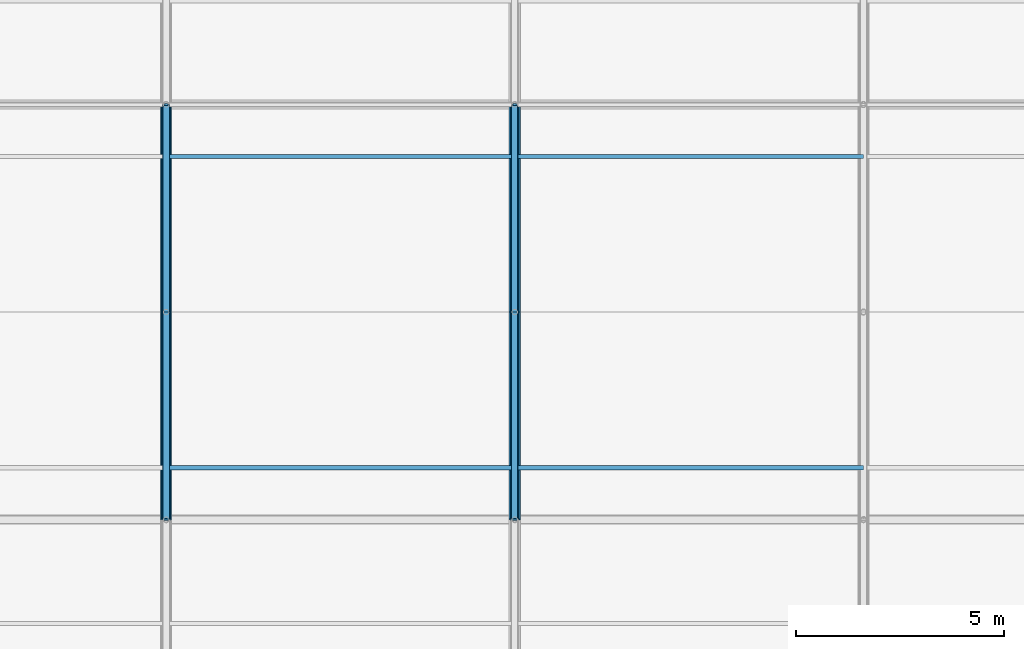
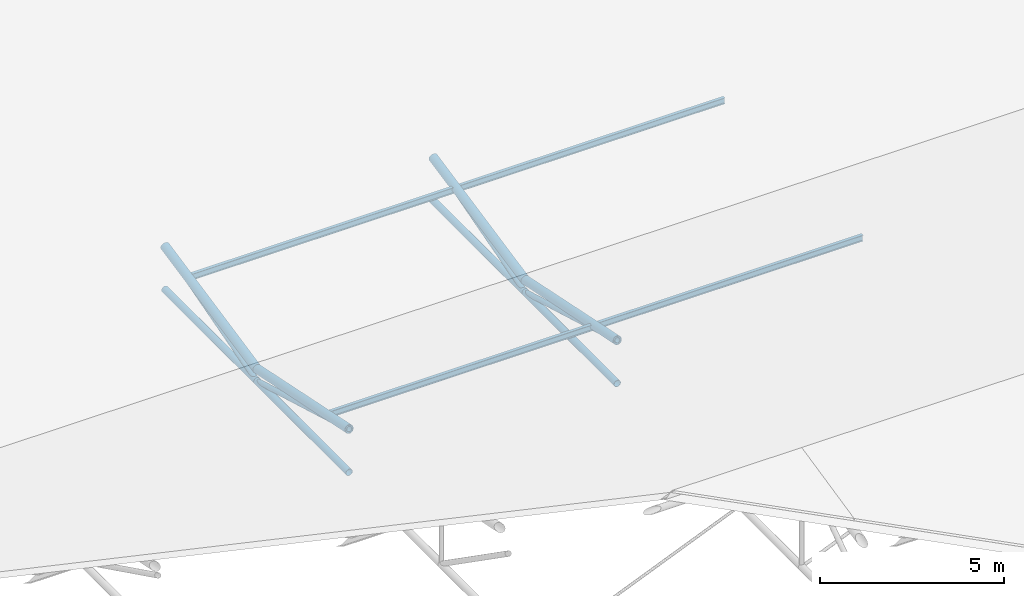
# One storey, part 101 of 194: 12 members, 4 beams.
"""IFC4 building model written with IfcOpenShell, lengths in metres."""

from ifc_helpers import new_model, si_unit, direction, frame, origin, origin_2d, place, context, subcontext, project, spatial, hollow_circle, i_section, extrude, material, material_profile, profile_set, type_object, element, save


model = new_model("IFC4")

# Units and contexts
model_context = context("Model", 3, precision=1e-05, world=origin(), true_north=direction((0.0, 1.0)))
body_context = subcontext(model_context, "Body", "Model", "MODEL_VIEW")
ifc_project = project(units=[si_unit("LENGTHUNIT", "METRE"), si_unit("AREAUNIT", "SQUARE_METRE"), si_unit("VOLUMEUNIT", "CUBIC_METRE"), si_unit("PLANEANGLEUNIT", "RADIAN"), si_unit("MASSUNIT", "GRAM", prefix="KILO")], contexts=[model_context])

# Site, building, storey
site_placement = place(None, origin())
site = spatial("IfcSite", under=ifc_project, at=site_placement, CompositionType="ELEMENT")
building_placement = place(site_placement, origin())
building = spatial("IfcBuilding", under=site, at=building_placement, Name="Kazenagashi Tramway Depot", CompositionType="ELEMENT")
storey_placement = place(building_placement, frame((0.0, 0.0, 23.7)))
storey = spatial("IfcBuildingStorey", under=building, at=storey_placement, Name="ROOF", CompositionType="ELEMENT", Elevation=23.7)

# Beams
ifc_material_1 = material(Name="Steel SN400B", Category="steel")
ifc_material_profile_1 = material_profile(ifc_material_1, i_section(OverallWidth=0.1, OverallDepth=0.2, WebThickness=0.0055, FlangeThickness=0.008, at=origin_2d()), Name="H-200x100x5.5x8")
ifc_profile_set_1 = profile_set([ifc_material_profile_1], Name="Steel SN400B")
beam_type = type_object("IfcBeamType", Name="PR-01", PredefinedType="USERDEFINED", material=ifc_profile_set_1)
for number, where, z_axis, x_axis, name in (
    (1, (162.4, 96.25, -12.955), (1.0, 0.0, 0.0), (0.0, 1.0, 0.0), "Beam PR-01 BM-2122"),
    (2, (170.8, 96.25, -12.955), (1.0, 0.0, 0.0), (0.0, 1.0, 0.0), "Beam PR-01 BM-2123"),
    (3, (162.4, 103.75, -12.955), (1.0, 0.0, 0.0), (0.0, 1.0, 0.0), "Beam PR-01 BM-2140"),
    (4, (170.8, 103.75, -12.955), (1.0, 0.0, 0.0), (0.0, 1.0, 0.0), "Beam PR-01 BM-2141"),
):
    element("IfcBeam", number, at=place(storey_placement, frame(where, z_axis=z_axis, x_axis=x_axis)), inside=storey, type_object=beam_type, Name=name, ObjectType="PURLIN", PredefinedType="USERDEFINED", context=body_context, shape_type="SweptSolid", body=[
        extrude(i_section(OverallWidth=0.1, OverallDepth=0.2, WebThickness=0.0055, FlangeThickness=0.008, at=origin_2d()), origin(), (0.0, 0.0, 1.0), 8.4),
    ])

# Members
ifc_material_2 = material(Name="Steel STK490", Category="steel")
ifc_material_profile_2 = material_profile(ifc_material_2, hollow_circle(Radius=0.1337, WallThickness=0.0093, at=origin_2d()), Name="CHS-267.4x9.3")
ifc_profile_set_2 = profile_set([ifc_material_profile_2], Name="Steel STK490")
member_type_1 = type_object("IfcMemberType", Name="TC-01", PredefinedType="CHORD", material=ifc_profile_set_2)
for number, where, z_axis, x_axis, name in (
    (5, (162.4, 95.0, -12.667), (0.0, 0.979317999984, -0.202327098797), (-1.0, 0.0, 0.0), "Tubular Space Frame TC-01 MEM-0870"),
    (6, (162.4, 100.0, -13.7), (0.0, 0.979317999984, 0.202327098797), (-1.0, 0.0, 0.0), "Tubular Space Frame TC-01 MEM-0886"),
    (7, (170.8, 95.0, -12.667), (0.0, 0.979317999984, -0.202327098797), (-1.0, 0.0, 0.0), "Tubular Space Frame TC-01 MEM-0931"),
    (8, (170.8, 100.0, -13.7), (0.0, 0.979317999984, 0.202327098797), (-1.0, 0.0, 0.0), "Tubular Space Frame TC-01 MEM-0947"),
):
    element("IfcMember", number, at=place(storey_placement, frame(where, z_axis=z_axis, x_axis=x_axis)), inside=storey, type_object=member_type_1, Name=name, PredefinedType="CHORD", context=body_context, shape_type="SweptSolid", body=[
        extrude(hollow_circle(Radius=0.1337, WallThickness=0.0093, at=origin_2d()), origin(), (0.0, 0.0, 1.0), 5.105594),
    ])
ifc_material_profile_3 = material_profile(ifc_material_2, hollow_circle(Radius=0.10815, WallThickness=0.0082, at=origin_2d()), Name="CHS-216.3x8.2")
ifc_profile_set_3 = profile_set([ifc_material_profile_3], Name="Steel STK490")
member_type_2 = type_object("IfcMemberType", Name="TC-02", PredefinedType="CHORD", material=ifc_profile_set_3)
for number, where, z_axis, x_axis, name in (
    (9, (162.4, 95.0, -14.1), (0.0, 1.0, 0.0), (-1.0, 0.0, 0.0), "Tubular Space Frame TC-02 MEM-0871"),
    (10, (162.4, 100.0, -14.1), (0.0, 1.0, 0.0), (-1.0, 0.0, 0.0), "Tubular Space Frame TC-02 MEM-0887"),
    (11, (170.8, 95.0, -14.1), (0.0, 1.0, 0.0), (-1.0, 0.0, 0.0), "Tubular Space Frame TC-02 MEM-0932"),
    (12, (170.8, 100.0, -14.1), (0.0, 1.0, 0.0), (-1.0, 0.0, 0.0), "Tubular Space Frame TC-02 MEM-0948"),
):
    element("IfcMember", number, at=place(storey_placement, frame(where, z_axis=z_axis, x_axis=x_axis)), inside=storey, type_object=member_type_2, Name=name, PredefinedType="CHORD", context=body_context, shape_type="SweptSolid", body=[
        extrude(hollow_circle(Radius=0.10815, WallThickness=0.0082, at=origin_2d()), origin(), (0.0, 0.0, 1.0), 5.0),
    ])
ifc_material_profile_4 = material_profile(ifc_material_2, hollow_circle(Radius=0.0826, WallThickness=0.0071, at=origin_2d()), Name="CHS-165.2x7.1")
ifc_profile_set_4 = profile_set([ifc_material_profile_4], Name="Steel STK490")
member_type_3 = type_object("IfcMemberType", Name="TS-01", PredefinedType="STRUT", material=ifc_profile_set_4)
for number, where, z_axis, x_axis, name in (
    (13, (162.4, 95.0, -12.667), (0.0, 0.961298717795, -0.27550821252), (-1.0, 0.0, 0.0), "Tubular Space Frame TS-01 MEM-0872"),
    (14, (162.4, 100.0, -14.1), (0.0, 0.961298717795, 0.27550821252), (-1.0, 0.0, 0.0), "Tubular Space Frame TS-01 MEM-0888"),
    (15, (170.8, 95.0, -12.667), (0.0, 0.961298717795, -0.27550821252), (-1.0, 0.0, 0.0), "Tubular Space Frame TS-01 MEM-0933"),
    (16, (170.8, 100.0, -14.1), (0.0, 0.961298717795, 0.27550821252), (-1.0, 0.0, 0.0), "Tubular Space Frame TS-01 MEM-0949"),
):
    element("IfcMember", number, at=place(storey_placement, frame(where, z_axis=z_axis, x_axis=x_axis)), inside=storey, type_object=member_type_3, Name=name, PredefinedType="STRUT", context=body_context, shape_type="SweptSolid", body=[
        extrude(hollow_circle(Radius=0.0826, WallThickness=0.0071, at=origin_2d()), origin(), (0.0, 0.0, 1.0), 5.201297),
    ])

save(model, "model.ifc")
